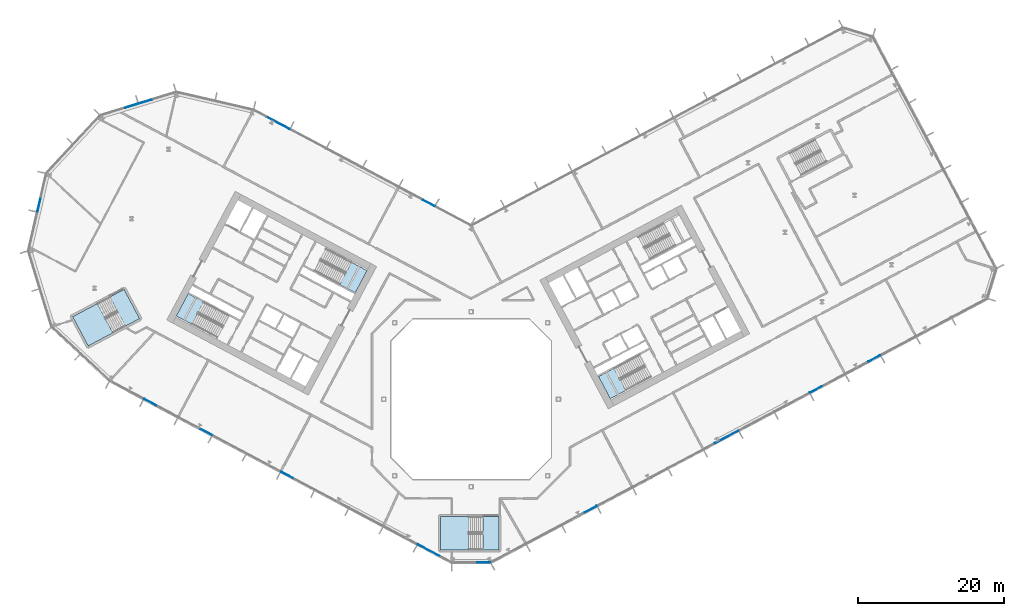
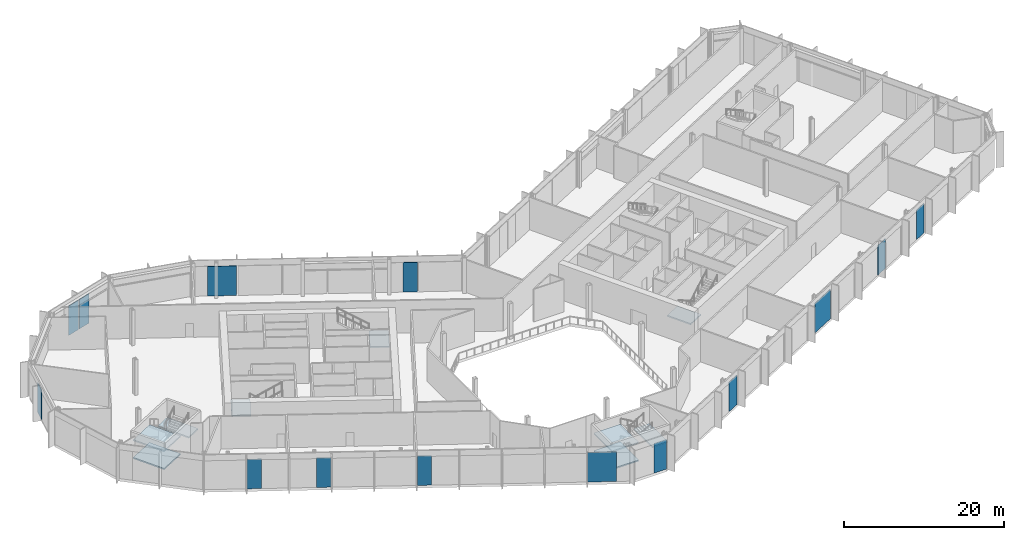
# One storey, part 9 of 32: 14 plates, 9 slabs, 11 elements without a shape of their own.
"""IFC4 building model written with IfcOpenShell, lengths in metres."""

from ifc_helpers import new_model, si_unit, direction, frame, origin, origin_2d, place, context, subcontext, project, spatial, polyline, rectangle, outline, extrude, material, layer, layer_set, type_object, element, aggregate, save


model = new_model("IFC4")

# Units and contexts
model_context = context("Model", 3, precision=1e-05, world=origin(), true_north=direction((0.0, 1.0)))
body_context = subcontext(model_context, "Body", "Model", "MODEL_VIEW")
ifc_project = project(units=[si_unit("LENGTHUNIT", "METRE"), si_unit("AREAUNIT", "SQUARE_METRE"), si_unit("VOLUMEUNIT", "CUBIC_METRE"), si_unit("PLANEANGLEUNIT", "RADIAN"), si_unit("MASSUNIT", "GRAM", prefix="KILO")], contexts=[model_context])

# Site, building, storey
site_placement = place(None, origin())
site = spatial("IfcSite", under=ifc_project, at=site_placement, CompositionType="ELEMENT")
building_placement = place(site_placement, origin())
building = spatial("IfcBuilding", under=site, at=building_placement, Name="Cormorant Relay Tower", CompositionType="ELEMENT")
storey_placement = place(building_placement, frame((0.0, 0.0, 28.39990234375)))
storey = spatial("IfcBuildingStorey", under=building, at=storey_placement, Name="L05", CompositionType="ELEMENT", Elevation=28.39990234375)

# Curtain wall, plate
ifc_material_1 = material(Name="Aluminium 6063-T6 anodised bronze", Category="aluminium")
ifc_layer_1 = layer(ifc_material_1, 0.235107421875)
ifc_layer_set_1 = layer_set([ifc_layer_1], Name="CW6 data hall curtain wall with mineral wool panels")
curtain_wall_type = type_object("IfcCurtainWallType", Name="CW6 data hall curtain wall with mineral wool panels", PredefinedType="NOTDEFINED", material=ifc_layer_set_1)
curtain_wall_1_placement = place(storey_placement, origin())
curtain_wall_1 = element("IfcCurtainWall", 1, at=curtain_wall_1_placement, inside=storey, type_object=curtain_wall_type, Name="CW6 curtain wall 1", PredefinedType="NOTDEFINED")
ifc_material_2 = material(Name="Tinted triple-glazed laminated unit")
ifc_layer_2 = layer(ifc_material_2, 0.074951171875)
ifc_layer_set_2 = layer_set([ifc_layer_2], Name="CW6 triple-glazed vision unit 1800 module")
plate_type_1 = type_object("IfcPlateType", Name="CW6 triple-glazed vision unit 1800 module", PredefinedType="CURTAIN_PANEL", material=ifc_layer_set_2)
plate_1_placement = place(storey_placement, frame((1.748779296875, -22.4130859375, 0.0), z_axis=(0.0, 0.0, 1.0), x_axis=(1.0, 0.0, 0.0)))
plate_1 = element("IfcPlate", 2, at=plate_1_placement, type_object=plate_type_1, Name="CW6 panel V01", PredefinedType="CURTAIN_PANEL", context=body_context, shape_type="SweptSolid", body=[
    extrude(rectangle(XDim=1.800048828125, YDim=0.074951171875, at=origin_2d()), origin(), (0.0, 0.0, 1.0), 4.5),
])
aggregate(curtain_wall_1, [plate_1])

# Curtain wall, plates
curtain_wall_2_placement = place(storey_placement, origin())
curtain_wall_2 = element("IfcCurtainWall", 3, at=curtain_wall_2_placement, inside=storey, type_object=curtain_wall_type, Name="CW6 curtain wall 2", PredefinedType="NOTDEFINED")
plate_2_placement = place(storey_placement, frame((16.405517578125, -15.103515625, 0.0), z_axis=(0.0, 0.0, 1.0), x_axis=(0.882947592859, 0.469471562786, 0.0)))
plate_2 = element("IfcPlate", 4, at=plate_2_placement, type_object=plate_type_1, Name="CW6 panel V02", PredefinedType="CURTAIN_PANEL", context=body_context, shape_type="SweptSolid", body=[
    extrude(rectangle(XDim=1.800048828125, YDim=0.074951171875, at=origin_2d()), origin(), (0.0, 0.0, 1.0), 4.5),
])
plate_3_placement = place(storey_placement, frame((47.327392578125, 1.337890625, 0.0), z_axis=(0.0, 0.0, 1.0), x_axis=(0.882947592859, 0.469471562786, 0.0)))
plate_3 = element("IfcPlate", 5, at=plate_3_placement, type_object=plate_type_1, Name="CW6 panel V09", PredefinedType="CURTAIN_PANEL", context=body_context, shape_type="SweptSolid", body=[
    extrude(rectangle(XDim=1.800048828125, YDim=0.074951171875, at=origin_2d()), origin(), (0.0, 0.0, 1.0), 4.5),
])
plate_4_placement = place(storey_placement, frame((55.339111328125, 5.597900390625, 0.0), z_axis=(0.0, 0.0, 1.0), x_axis=(0.882947592859, 0.469471562786, 0.0)))
plate_4 = element("IfcPlate", 6, at=plate_4_placement, type_object=plate_type_1, Name="CW6 panel V11", PredefinedType="CURTAIN_PANEL", context=body_context, shape_type="SweptSolid", body=[
    extrude(rectangle(XDim=1.800048828125, YDim=0.074951171875, at=origin_2d()), origin(), (0.0, 0.0, 1.0), 4.5),
])

# Curtain wall, plate
curtain_wall_3_placement = place(storey_placement, origin())
curtain_wall_3 = element("IfcCurtainWall", 7, at=curtain_wall_3_placement, inside=storey, type_object=curtain_wall_type, Name="CW6 curtain wall 7", PredefinedType="NOTDEFINED")
plate_5_placement = place(storey_placement, frame((-5.822265625, 26.922119140625, 0.0), z_axis=(0.0, 0.0, 1.0), x_axis=(-0.882947592859, 0.469471562786, 0.0)))
plate_5 = element("IfcPlate", 8, at=plate_5_placement, type_object=plate_type_1, Name="CW6 panel V01", PredefinedType="CURTAIN_PANEL", context=body_context, shape_type="SweptSolid", body=[
    extrude(rectangle(XDim=1.800048828125, YDim=0.074951171875, at=origin_2d()), origin(), (0.0, 0.0, 1.0), 4.5),
])

# Curtain wall, plates
curtain_wall_4_placement = place(storey_placement, origin())
curtain_wall_4 = element("IfcCurtainWall", 9, at=curtain_wall_4_placement, inside=storey, type_object=curtain_wall_type, Name="CW6 curtain wall 9", PredefinedType="NOTDEFINED")
plate_6_placement = place(storey_placement, frame((-44.74169921875, 40.84521484375, 0.0), z_axis=(0.0, 0.0, 1.0), x_axis=(-0.956304755963, -0.292371704723, 0.0)))
plate_6 = element("IfcPlate", 10, at=plate_6_placement, type_object=plate_type_1, Name="CW6 panel V01", PredefinedType="CURTAIN_PANEL", context=body_context, shape_type="SweptSolid", body=[
    extrude(rectangle(XDim=1.800048828125, YDim=0.074951171875, at=origin_2d()), origin(), (0.0, 0.0, 1.0), 4.5),
])
plate_7_placement = place(storey_placement, frame((-46.606689453125, 40.275146484375, 0.0), z_axis=(0.0, 0.0, 1.0), x_axis=(-0.956304755963, -0.292371704723, 0.0)))
plate_7 = element("IfcPlate", 11, at=plate_7_placement, type_object=plate_type_1, Name="CW6 panel V02", PredefinedType="CURTAIN_PANEL", context=body_context, shape_type="SweptSolid", body=[
    extrude(rectangle(XDim=1.800048828125, YDim=0.074951171875, at=origin_2d()), origin(), (0.0, 0.0, 1.0), 4.5),
])
aggregate(curtain_wall_4, [plate_6, plate_7])

# Curtain wall, plate
curtain_wall_5_placement = place(storey_placement, origin())
curtain_wall_5 = element("IfcCurtainWall", 12, at=curtain_wall_5_placement, inside=storey, type_object=curtain_wall_type, Name="CW6 curtain wall 11", PredefinedType="NOTDEFINED")
plate_8_placement = place(storey_placement, frame((-59.314453125, 26.647705078125, 0.0), z_axis=(0.0, 0.0, 1.0), x_axis=(-0.224951054344, -0.974370064785, 0.0)))
plate_8 = element("IfcPlate", 13, at=plate_8_placement, type_object=plate_type_1, Name="CW6 panel V01", PredefinedType="CURTAIN_PANEL", context=body_context, shape_type="SweptSolid", body=[
    extrude(rectangle(XDim=1.800048828125, YDim=0.074951171875, at=origin_2d()), origin(), (0.0, 0.0, 1.0), 4.5),
])
aggregate(curtain_wall_5, [plate_8])

# Curtain wall, plates
curtain_wall_6_placement = place(storey_placement, origin())
curtain_wall_6 = element("IfcCurtainWall", 14, at=curtain_wall_6_placement, inside=storey, type_object=curtain_wall_type, Name="CW6 curtain wall 14", PredefinedType="NOTDEFINED")
plate_9_placement = place(storey_placement, frame((-44.053955078125, -0.402587890625, 0.0), z_axis=(0.0, 0.0, 1.0), x_axis=(0.882947592859, -0.469471562786, 0.0)))
plate_9 = element("IfcPlate", 15, at=plate_9_placement, type_object=plate_type_1, Name="CW6 panel V01", PredefinedType="CURTAIN_PANEL", context=body_context, shape_type="SweptSolid", body=[
    extrude(rectangle(XDim=1.800048828125, YDim=0.074951171875, at=origin_2d()), origin(), (0.0, 0.0, 1.0), 4.5),
])
plate_10_placement = place(storey_placement, frame((-36.38720703125, -4.47900390625, 0.0), z_axis=(0.0, 0.0, 1.0), x_axis=(0.882947592859, -0.469471562786, 0.0)))
plate_10 = element("IfcPlate", 16, at=plate_10_placement, type_object=plate_type_1, Name="CW6 panel V03", PredefinedType="CURTAIN_PANEL", context=body_context, shape_type="SweptSolid", body=[
    extrude(rectangle(XDim=1.800048828125, YDim=0.074951171875, at=origin_2d()), origin(), (0.0, 0.0, 1.0), 4.5),
])
plate_11_placement = place(storey_placement, frame((-25.27685546875, -10.386474609375, 0.0), z_axis=(0.0, 0.0, 1.0), x_axis=(0.882947592859, -0.469471562786, 0.0)))
plate_11 = element("IfcPlate", 17, at=plate_11_placement, type_object=plate_type_1, Name="CW6 panel V05", PredefinedType="CURTAIN_PANEL", context=body_context, shape_type="SweptSolid", body=[
    extrude(rectangle(XDim=1.800048828125, YDim=0.074951171875, at=origin_2d()), origin(), (0.0, 0.0, 1.0), 4.5),
])

# Plate
ifc_material_3 = material(Name="Tinted triple-glazed laminated unit")
ifc_layer_3 = layer(ifc_material_3, 0.074951171875)
ifc_layer_set_3 = layer_set([ifc_layer_3], Name="CW6 triple-glazed vision unit 3600 module")
plate_type_2 = type_object("IfcPlateType", Name="CW6 triple-glazed vision unit 3600 module", PredefinedType="CURTAIN_PANEL", material=ifc_layer_set_3)
plate_12_placement = place(storey_placement, frame((35.07763671875, -5.17529296875, 0.0), z_axis=(0.0, 0.0, 1.0), x_axis=(0.882947592859, 0.469471562786, 0.0)))
plate_12 = element("IfcPlate", 18, at=plate_12_placement, type_object=plate_type_2, Name="CW6 panel V06", PredefinedType="CURTAIN_PANEL", context=body_context, shape_type="SweptSolid", body=[
    extrude(rectangle(XDim=3.60009765625, YDim=0.074951171875, at=origin_2d()), origin(), (0.0, 0.0, 1.0), 4.5),
])

aggregate(curtain_wall_2, [plate_2, plate_12, plate_3, plate_4])

plate_13_placement = place(storey_placement, frame((-26.53271484375, 37.93408203125, 0.0), z_axis=(0.0, 0.0, 1.0), x_axis=(-0.882947592859, 0.469471562786, 0.0)))
plate_13 = element("IfcPlate", 19, at=plate_13_placement, type_object=plate_type_2, Name="CW6 panel V05", PredefinedType="CURTAIN_PANEL", context=body_context, shape_type="SweptSolid", body=[
    extrude(rectangle(XDim=3.60009765625, YDim=0.074951171875, at=origin_2d()), origin(), (0.0, 0.0, 1.0), 4.5),
])

aggregate(curtain_wall_3, [plate_5, plate_13])

plate_14_placement = place(storey_placement, frame((-5.705078125, -20.79296875, 0.0), z_axis=(0.0, 0.0, 1.0), x_axis=(0.882947592859, -0.469471562786, 0.0)))
plate_14 = element("IfcPlate", 20, at=plate_14_placement, type_object=plate_type_2, Name="CW6 panel V08", PredefinedType="CURTAIN_PANEL", context=body_context, shape_type="SweptSolid", body=[
    extrude(rectangle(XDim=3.60009765625, YDim=0.074951171875, at=origin_2d()), origin(), (0.0, 0.0, 1.0), 4.5),
])

aggregate(curtain_wall_6, [plate_9, plate_10, plate_11, plate_14])

# Stair, slab
ifc_material_4 = material(Name="Concrete 40 MPa", Category="concrete")
stair_type_1 = type_object("IfcStairType", Name="Exit stair 1500", PredefinedType="HALF_TURN_STAIR", material=ifc_material_4)
stair_1_placement = place(storey_placement, origin())
stair_1 = element("IfcStair", 21, at=stair_1_placement, inside=storey, type_object=stair_type_1, Name="L05 Stair", PredefinedType="HALF_TURN_STAIR")
ifc_material_5 = material(Name="Concrete 40 MPa", Category="concrete")
ifc_layer_4 = layer(ifc_material_5, 0.199951171875)
ifc_layer_set_4 = layer_set([ifc_layer_4], Name="Exit stair landing 200")
slab_type = type_object("IfcSlabType", Name="Exit stair landing 200", PredefinedType="LANDING", material=ifc_layer_set_4)
slab_1_placement = place(storey_placement, frame((0.0, 0.0, 2.5)))
slab_1 = element("IfcSlab", 22, at=slab_1_placement, type_object=slab_type, Name="A1 landing 1", PredefinedType="LANDING", context=body_context, shape_type="SweptSolid", body=[
    extrude(outline(polyline([(-18.04052734375, 15.764892578125), (-15.89501953125, 14.6240234375), (-14.275390625, 17.670166015625), (-16.4208984375, 18.81103515625), (-18.04052734375, 15.764892578125)])), origin(), (0.0, 0.0, 1.0), 0.2001953125),
])
aggregate(stair_1, [slab_1])

stair_2_placement = place(storey_placement, origin())
stair_2 = element("IfcStair", 23, at=stair_2_placement, inside=storey, type_object=stair_type_1, Name="L05 Stair", PredefinedType="HALF_TURN_STAIR")
slab_2_placement = place(storey_placement, frame((0.0, 0.0, 2.5)))
slab_2 = element("IfcSlab", 24, at=slab_2_placement, type_object=slab_type, Name="A2 landing 1", PredefinedType="LANDING", context=body_context, shape_type="SweptSolid", body=[
    extrude(outline(polyline([(-36.7021484375, 13.34228515625), (-38.84765625, 14.483154296875), (-40.467529296875, 11.43701171875), (-38.32177734375, 10.296142578125), (-36.7021484375, 13.34228515625)])), origin(), (0.0, 0.0, 1.0), 0.2001953125),
])
aggregate(stair_2, [slab_2])

stair_3_placement = place(storey_placement, origin())
stair_3 = element("IfcStair", 25, at=stair_3_placement, inside=storey, type_object=stair_type_1, Name="L05 Stair", PredefinedType="HALF_TURN_STAIR")
slab_3_placement = place(storey_placement, frame((0.0, 0.0, 2.5)))
slab_3 = element("IfcSlab", 26, at=slab_3_placement, type_object=slab_type, Name="B1 landing 1", PredefinedType="LANDING", context=body_context, shape_type="SweptSolid", body=[
    extrude(outline(polyline([(19.6259765625, 4.262939453125), (17.48046875, 3.1220703125), (19.10009765625, 0.075927734375), (21.24560546875, 1.216552734375), (19.6259765625, 4.262939453125)])), origin(), (0.0, 0.0, 1.0), 0.2001953125),
])
aggregate(stair_3, [slab_3])

# Stair, slabs
ifc_material_6 = material(Name="Concrete 40 MPa", Category="concrete")
stair_type_2 = type_object("IfcStairType", Name="Remote exit stair 2200", PredefinedType="HALF_TURN_STAIR", material=ifc_material_6)
stair_4_placement = place(storey_placement, origin())
stair_4 = element("IfcStair", 27, at=stair_4_placement, inside=storey, type_object=stair_type_2, Name="L05 Stair", PredefinedType="HALF_TURN_STAIR")
slab_4_placement = place(storey_placement, frame((0.0, 0.0, 1.150146484375)))
slab_4 = element("IfcSlab", 28, at=slab_4_placement, type_object=slab_type, Name="RK1 landing 1", PredefinedType="LANDING", context=body_context, shape_type="SweptSolid", body=[
    extrude(outline(polyline([(-0.360107421875, -16.125), (-4.199951171875, -16.125), (-4.199951171875, -20.675048828125), (-0.360107421875, -20.675048828125), (-0.360107421875, -16.125)])), origin(), (0.0, 0.0, 1.0), 0.199951171875),
])
slab_5_placement = place(storey_placement, frame((0.0, 0.0, 2.5)))
slab_5 = element("IfcSlab", 29, at=slab_5_placement, type_object=slab_type, Name="RK1 landing 2", PredefinedType="LANDING", context=body_context, shape_type="SweptSolid", body=[
    extrude(outline(polyline([(3.800048828125, -16.125), (1.60009765625, -16.125), (1.60009765625, -20.675048828125), (3.800048828125, -20.675048828125), (3.800048828125, -16.125)])), origin(), (0.0, 0.0, 1.0), 0.2001953125),
])
slab_6_placement = place(storey_placement, frame((0.0, 0.0, 3.85009765625)))
slab_6 = element("IfcSlab", 30, at=slab_6_placement, type_object=slab_type, Name="RK1 landing 3", PredefinedType="LANDING", context=body_context, shape_type="SweptSolid", body=[
    extrude(outline(polyline([(-0.360107421875, -16.125), (-4.199951171875, -16.125), (-4.199951171875, -20.675048828125), (-0.360107421875, -20.675048828125), (-0.360107421875, -16.125)])), origin(), (0.0, 0.0, 1.0), 0.199951171875),
])
aggregate(stair_4, [slab_4, slab_5, slab_6])

stair_5_placement = place(storey_placement, origin())
stair_5 = element("IfcStair", 31, at=stair_5_placement, inside=storey, type_object=stair_type_2, Name="L05 Stair", PredefinedType="HALF_TURN_STAIR")
slab_7_placement = place(storey_placement, frame((0.0, 0.0, 1.150146484375)))
slab_7 = element("IfcSlab", 32, at=slab_7_placement, type_object=slab_type, Name="RP1 landing 1", PredefinedType="LANDING", context=body_context, shape_type="SweptSolid", body=[
    extrude(outline(polyline([(-51.309326171875, 13.133544921875), (-54.699951171875, 11.330810546875), (-52.563720703125, 7.3134765625), (-49.17333984375, 9.1162109375), (-51.309326171875, 13.133544921875)])), origin(), (0.0, 0.0, 1.0), 0.199951171875),
])
slab_8_placement = place(storey_placement, frame((0.0, 0.0, 2.5)))
slab_8 = element("IfcSlab", 33, at=slab_8_placement, type_object=slab_type, Name="RP1 landing 2", PredefinedType="LANDING", context=body_context, shape_type="SweptSolid", body=[
    extrude(outline(polyline([(-47.63623046875, 15.086669921875), (-49.578857421875, 14.0537109375), (-47.442626953125, 10.036376953125), (-45.500244140625, 11.069091796875), (-47.63623046875, 15.086669921875)])), origin(), (0.0, 0.0, 1.0), 0.2001953125),
])
slab_9_placement = place(storey_placement, frame((0.0, 0.0, 3.85009765625)))
slab_9 = element("IfcSlab", 34, at=slab_9_placement, type_object=slab_type, Name="RP1 landing 3", PredefinedType="LANDING", context=body_context, shape_type="SweptSolid", body=[
    extrude(outline(polyline([(-51.309326171875, 13.133544921875), (-54.699951171875, 11.330810546875), (-52.563720703125, 7.3134765625), (-49.17333984375, 9.1162109375), (-51.309326171875, 13.133544921875)])), origin(), (0.0, 0.0, 1.0), 0.199951171875),
])
aggregate(stair_5, [slab_7, slab_8, slab_9])

save(model, "model.ifc")
